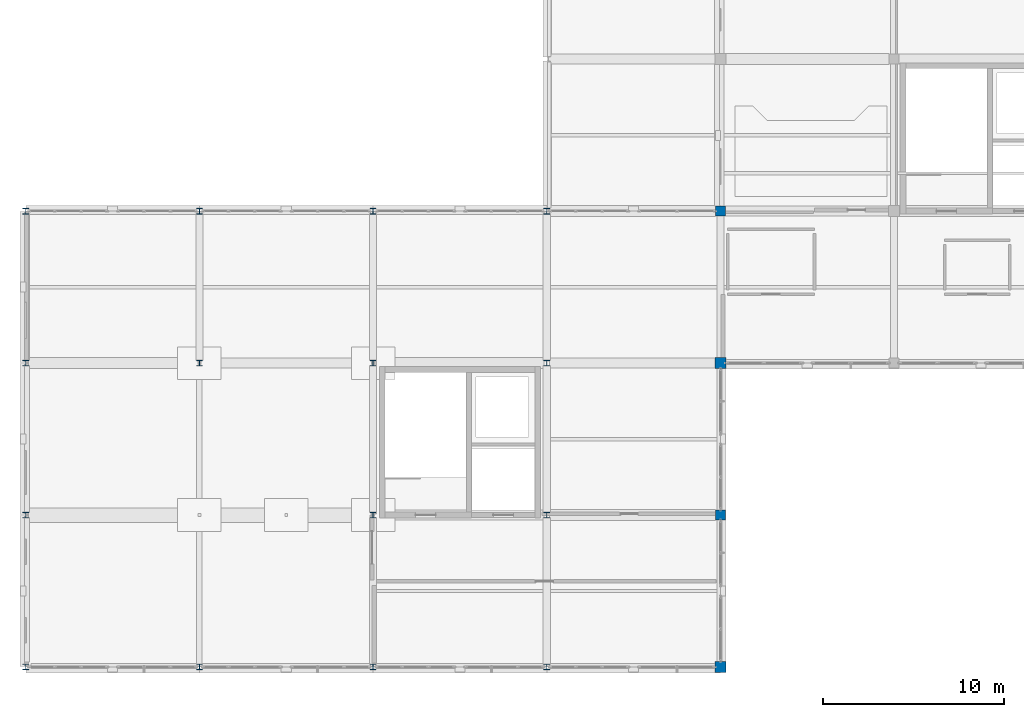
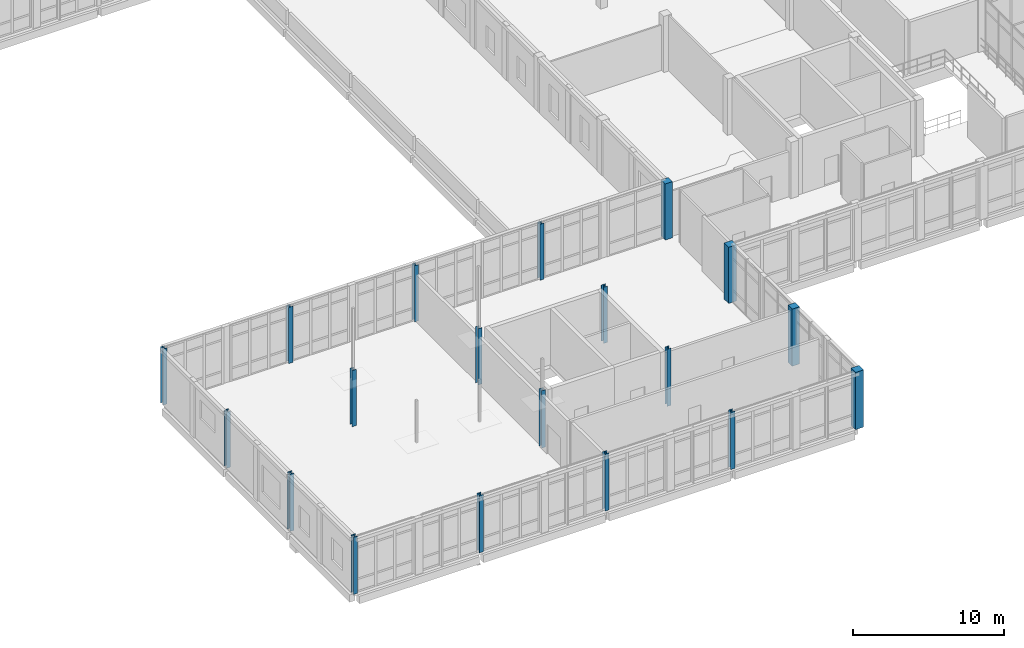
# One storey, part 1 of 88: 19 columns.
"""IFC4 building model written with IfcOpenShell, lengths in metres."""

from ifc_helpers import new_model, si_unit, direction, frame, origin, origin_2d, place, context, subcontext, project, spatial, rectangle, i_section, extrude, material, material_profile, profile_set, type_object, element, save


model = new_model("IFC4")

# Units and contexts
model_context = context("Model", 3, precision=1e-05, world=origin(), true_north=direction((0.0, 1.0)))
body_context = subcontext(model_context, "Body", "Model", "MODEL_VIEW")
ifc_project = project(units=[si_unit("LENGTHUNIT", "METRE"), si_unit("AREAUNIT", "SQUARE_METRE"), si_unit("VOLUMEUNIT", "CUBIC_METRE"), si_unit("PLANEANGLEUNIT", "RADIAN"), si_unit("MASSUNIT", "GRAM", prefix="KILO")], contexts=[model_context])

# Site, building, storey
site_placement = place(None, origin())
site = spatial("IfcSite", under=ifc_project, at=site_placement, CompositionType="ELEMENT")
building_placement = place(site_placement, origin())
building = spatial("IfcBuilding", under=site, at=building_placement, Name="Lornevale Opera House", CompositionType="ELEMENT")
storey_placement = place(building_placement, frame((0.0, 0.0, 10.199951171875)))
storey = spatial("IfcBuildingStorey", under=building, at=storey_placement, Name="L03", CompositionType="ELEMENT", Elevation=10.199951171875)

# Columns
ifc_material_1 = material(Name="Concrete 35 MPa (CSA A23.1 N)", Category="concrete")
ifc_material_profile_1 = material_profile(ifc_material_1, rectangle(XDim=0.550048828125, YDim=0.550048828125, at=origin_2d()), Name="RC550x550")
ifc_profile_set_1 = profile_set([ifc_material_profile_1], Name="Concrete 35 MPa (CSA A23.1 N)")
column_type_1 = type_object("IfcColumnType", Name="Concrete Column 550x550", PredefinedType="COLUMN", material=ifc_profile_set_1)
column_1_placement = place(storey_placement, frame((38.39990234375, 8.39990234375, 0.0), z_axis=(0.0, 0.0, 1.0), x_axis=(1.0, 0.0, 0.0)))
element("IfcColumn", 1, at=column_1_placement, inside=storey, type_object=column_type_1, Name="Concrete Column 550x550 0224", PredefinedType="COLUMN", context=body_context, shape_type="SweptSolid", body=[
    extrude(rectangle(XDim=0.550048828125, YDim=0.550048828125, at=origin_2d()), origin(), (0.0, 0.0, 1.0), 4.6201171875),
])
column_2_placement = place(storey_placement, frame((38.39990234375, 25.199951171875, 0.0), z_axis=(0.0, 0.0, 1.0), x_axis=(1.0, 0.0, 0.0)))
element("IfcColumn", 2, at=column_2_placement, inside=storey, type_object=column_type_1, Name="Concrete Column 550x550 0234", PredefinedType="COLUMN", context=body_context, shape_type="SweptSolid", body=[
    extrude(rectangle(XDim=0.550048828125, YDim=0.550048828125, at=origin_2d()), origin(), (0.0, 0.0, 1.0), 4.530029296875),
])
ifc_material_profile_2 = material_profile(ifc_material_1, rectangle(XDim=0.60009765625, YDim=0.60009765625, at=origin_2d()), Name="RC600x600")
ifc_profile_set_2 = profile_set([ifc_material_profile_2], Name="Concrete 35 MPa (CSA A23.1 N)")
column_type_2 = type_object("IfcColumnType", Name="Concrete Column 600x600", PredefinedType="COLUMN", material=ifc_profile_set_2)
column_3_placement = place(storey_placement, frame((38.39990234375, 0.0, 0.0), z_axis=(0.0, 0.0, 1.0), x_axis=(1.0, 0.0, 0.0)))
element("IfcColumn", 3, at=column_3_placement, inside=storey, type_object=column_type_2, Name="Concrete Column 600x600 0219", PredefinedType="COLUMN", context=body_context, shape_type="SweptSolid", body=[
    extrude(rectangle(XDim=0.60009765625, YDim=0.60009765625, at=origin_2d()), origin(), (0.0, 0.0, 1.0), 4.6201171875),
])
column_4_placement = place(storey_placement, frame((38.39990234375, 16.800048828125, 0.0), z_axis=(0.0, 0.0, 1.0), x_axis=(1.0, 0.0, 0.0)))
element("IfcColumn", 4, at=column_4_placement, inside=storey, type_object=column_type_2, Name="Concrete Column 600x600 0229", PredefinedType="COLUMN", context=body_context, shape_type="SweptSolid", body=[
    extrude(rectangle(XDim=0.60009765625, YDim=0.60009765625, at=origin_2d()), origin(), (0.0, 0.0, 1.0), 4.530029296875),
])
ifc_material_2 = material(Name="Structural Steel CSA G40.21 Grade 350W (350 MPa)", Category="steel")
ifc_material_profile_3 = material_profile(ifc_material_2, i_section(OverallWidth=0.30908203125, OverallDepth=0.322998046875, WebThickness=0.013916015625, FlangeThickness=0.02294921875, at=origin_2d()), Name="W310x143")
ifc_profile_set_3 = profile_set([ifc_material_profile_3], Name="Structural Steel CSA G40.21 Grade 350W (350 MPa)")
column_type_3 = type_object("IfcColumnType", Name="Steel Clerestory Post W310x143", PredefinedType="COLUMN", material=ifc_profile_set_3)
for number, where, z_axis, x_axis, name in (
    (5, (0.0, 0.0, 0.0), (0.0, 0.0, 1.0), (1.0, 0.0, 0.0), "Steel Clerestory Post W310x143 0005"),
    (6, (0.0, 8.39990234375, 0.0), (0.0, 0.0, 1.0), (1.0, 0.0, 0.0), "Steel Clerestory Post W310x143 0010"),
):
    element("IfcColumn", number, at=place(storey_placement, frame(where, z_axis=z_axis, x_axis=x_axis)), inside=storey, type_object=column_type_3, Name=name, PredefinedType="COLUMN", context=body_context, shape_type="SweptSolid", body=[
        extrude(i_section(OverallWidth=0.30908203125, OverallDepth=0.322998046875, WebThickness=0.013916015625, FlangeThickness=0.02294921875, at=origin_2d()), origin(), (0.0, 0.0, 1.0), 4.6201171875),
    ])
for number, where, z_axis, x_axis, name in (
    (7, (0.0, 16.800048828125, 0.0), (0.0, 0.0, 1.0), (1.0, 0.0, 0.0), "Steel Clerestory Post W310x143 0015"),
    (8, (0.0, 25.199951171875, 0.0), (0.0, 0.0, 1.0), (1.0, 0.0, 0.0), "Steel Clerestory Post W310x143 0020"),
):
    element("IfcColumn", number, at=place(storey_placement, frame(where, z_axis=z_axis, x_axis=x_axis)), inside=storey, type_object=column_type_3, Name=name, PredefinedType="COLUMN", context=body_context, shape_type="SweptSolid", body=[
        extrude(i_section(OverallWidth=0.30908203125, OverallDepth=0.322998046875, WebThickness=0.013916015625, FlangeThickness=0.02294921875, at=origin_2d()), origin(), (0.0, 0.0, 1.0), 4.530029296875),
    ])
column_5_placement = place(storey_placement, frame((9.60009765625, 0.0, 0.0), z_axis=(0.0, 0.0, 1.0), x_axis=(1.0, 0.0, 0.0)))
element("IfcColumn", 9, at=column_5_placement, inside=storey, type_object=column_type_3, Name="Steel Clerestory Post W310x143 0058", PredefinedType="COLUMN", context=body_context, shape_type="SweptSolid", body=[
    extrude(i_section(OverallWidth=0.30908203125, OverallDepth=0.322998046875, WebThickness=0.013916015625, FlangeThickness=0.02294921875, at=origin_2d()), origin(), (0.0, 0.0, 1.0), 4.6201171875),
])
for number, where, z_axis, x_axis, name in (
    (10, (9.60009765625, 16.800048828125, 0.0), (0.0, 0.0, 1.0), (1.0, 0.0, 0.0), "Steel Clerestory Post W310x143 0065"),
    (11, (9.60009765625, 25.199951171875, 0.0), (0.0, 0.0, 1.0), (1.0, 0.0, 0.0), "Steel Clerestory Post W310x143 0070"),
):
    element("IfcColumn", number, at=place(storey_placement, frame(where, z_axis=z_axis, x_axis=x_axis)), inside=storey, type_object=column_type_3, Name=name, PredefinedType="COLUMN", context=body_context, shape_type="SweptSolid", body=[
        extrude(i_section(OverallWidth=0.30908203125, OverallDepth=0.322998046875, WebThickness=0.013916015625, FlangeThickness=0.02294921875, at=origin_2d()), origin(), (0.0, 0.0, 1.0), 4.530029296875),
    ])
for number, where, z_axis, x_axis, name in (
    (12, (19.199951171875, 0.0, 0.0), (0.0, 0.0, 1.0), (1.0, 0.0, 0.0), "Steel Clerestory Post W310x143 0105"),
    (13, (19.199951171875, 8.39990234375, 0.0), (0.0, 0.0, 1.0), (1.0, 0.0, 0.0), "Steel Clerestory Post W310x143 0110"),
):
    element("IfcColumn", number, at=place(storey_placement, frame(where, z_axis=z_axis, x_axis=x_axis)), inside=storey, type_object=column_type_3, Name=name, PredefinedType="COLUMN", context=body_context, shape_type="SweptSolid", body=[
        extrude(i_section(OverallWidth=0.30908203125, OverallDepth=0.322998046875, WebThickness=0.013916015625, FlangeThickness=0.02294921875, at=origin_2d()), origin(), (0.0, 0.0, 1.0), 4.6201171875),
    ])
for number, where, z_axis, x_axis, name in (
    (14, (19.199951171875, 16.800048828125, 0.0), (0.0, 0.0, 1.0), (1.0, 0.0, 0.0), "Steel Clerestory Post W310x143 0115"),
    (15, (19.199951171875, 25.199951171875, 0.0), (0.0, 0.0, 1.0), (1.0, 0.0, 0.0), "Steel Clerestory Post W310x143 0120"),
):
    element("IfcColumn", number, at=place(storey_placement, frame(where, z_axis=z_axis, x_axis=x_axis)), inside=storey, type_object=column_type_3, Name=name, PredefinedType="COLUMN", context=body_context, shape_type="SweptSolid", body=[
        extrude(i_section(OverallWidth=0.30908203125, OverallDepth=0.322998046875, WebThickness=0.013916015625, FlangeThickness=0.02294921875, at=origin_2d()), origin(), (0.0, 0.0, 1.0), 4.530029296875),
    ])
for number, where, z_axis, x_axis, name in (
    (16, (28.800048828125, 0.0, 0.0), (0.0, 0.0, 1.0), (1.0, 0.0, 0.0), "Steel Clerestory Post W310x143 0158"),
    (17, (28.800048828125, 8.39990234375, 0.0), (0.0, 0.0, 1.0), (1.0, 0.0, 0.0), "Steel Clerestory Post W310x143 0163"),
):
    element("IfcColumn", number, at=place(storey_placement, frame(where, z_axis=z_axis, x_axis=x_axis)), inside=storey, type_object=column_type_3, Name=name, PredefinedType="COLUMN", context=body_context, shape_type="SweptSolid", body=[
        extrude(i_section(OverallWidth=0.30908203125, OverallDepth=0.322998046875, WebThickness=0.013916015625, FlangeThickness=0.02294921875, at=origin_2d()), origin(), (0.0, 0.0, 1.0), 4.6201171875),
    ])
for number, where, z_axis, x_axis, name in (
    (18, (28.800048828125, 16.800048828125, 0.0), (0.0, 0.0, 1.0), (1.0, 0.0, 0.0), "Steel Clerestory Post W310x143 0168"),
    (19, (28.800048828125, 25.199951171875, 0.0), (0.0, 0.0, 1.0), (1.0, 0.0, 0.0), "Steel Clerestory Post W310x143 0173"),
):
    element("IfcColumn", number, at=place(storey_placement, frame(where, z_axis=z_axis, x_axis=x_axis)), inside=storey, type_object=column_type_3, Name=name, PredefinedType="COLUMN", context=body_context, shape_type="SweptSolid", body=[
        extrude(i_section(OverallWidth=0.30908203125, OverallDepth=0.322998046875, WebThickness=0.013916015625, FlangeThickness=0.02294921875, at=origin_2d()), origin(), (0.0, 0.0, 1.0), 4.530029296875),
    ])

save(model, "model.ifc")
